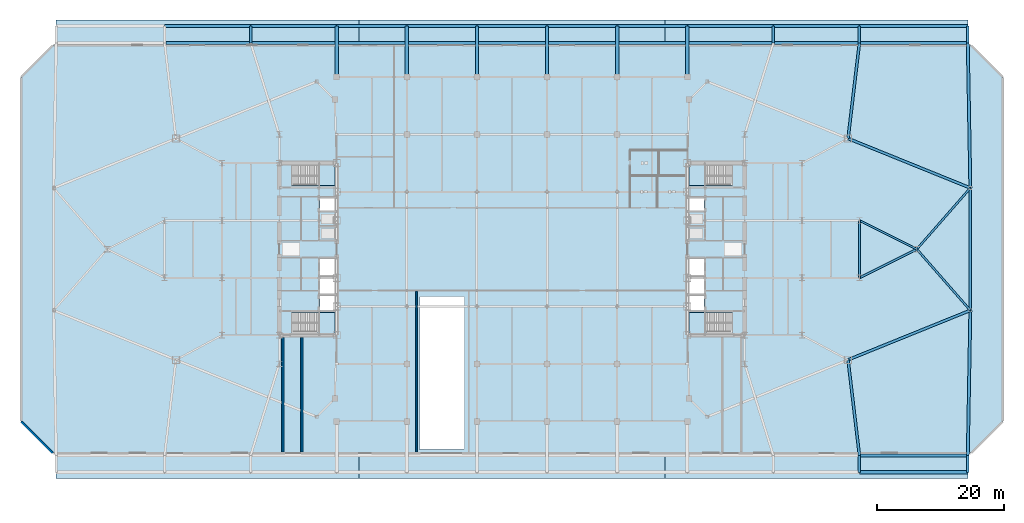
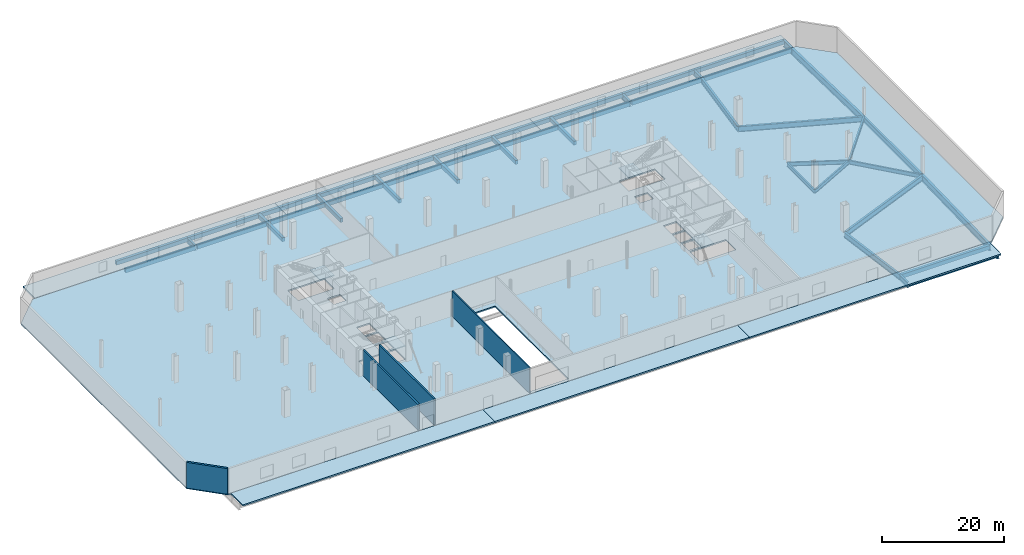
# One storey, part 9 of 21: 46 beams, 11 slabs, 4 walls, 4 elements without a shape of their own.
"""IFC4 building model written with IfcOpenShell, lengths in metres."""

from ifc_helpers import new_model, si_unit, direction, frame, frame_2d, origin, origin_2d, place, context, subcontext, project, spatial, polyline, rectangle, i_section, outline, extrude, source, transform, mapped, material, layer, layer_set, material_profile, profile_set, type_object, type_shapes, element, aggregate, save


model = new_model("IFC4")

# Units and contexts
model_context = context("Model", 3, precision=1e-05, world=origin(), true_north=direction((0.0, 1.0)))
body_context = subcontext(model_context, "Body", "Model", "MODEL_VIEW")
ifc_project = project(units=[si_unit("LENGTHUNIT", "METRE"), si_unit("AREAUNIT", "SQUARE_METRE"), si_unit("VOLUMEUNIT", "CUBIC_METRE"), si_unit("PLANEANGLEUNIT", "RADIAN"), si_unit("MASSUNIT", "GRAM", prefix="KILO")], contexts=[model_context])

# Site, building, storey
site_placement = place(None, origin())
site = spatial("IfcSite", under=ifc_project, at=site_placement, CompositionType="ELEMENT")
building_placement = place(site_placement, origin())
building = spatial("IfcBuilding", under=site, at=building_placement, Name="Seokmaru Belvedere", CompositionType="ELEMENT")
storey_placement = place(building_placement, origin())
storey = spatial("IfcBuildingStorey", under=building, at=storey_placement, Name="L00", CompositionType="ELEMENT", Elevation=0.0)

# Beams
ifc_material_1 = material(Name="Steel SM355 (355 MPa)", Category="steel")
ifc_material_profile_1 = material_profile(ifc_material_1, i_section(OverallWidth=0.39990234375, OverallDepth=1.10009765625, WebThickness=0.02001953125, FlangeThickness=0.033935546875, at=origin_2d()), Name="BH-1100x400x20x34")
ifc_profile_set_1 = profile_set([ifc_material_profile_1], Name="Steel SM355 (355 MPa)")
beam_type_1 = type_object("IfcBeamType", Name="Sky-Gate Transverse Girder BH-1100", PredefinedType="BEAM", material=ifc_profile_set_1)
shared_shape_1 = source(origin(), body_context, "Body", "SweptSolid", [
    extrude(i_section(OverallWidth=0.39990234375, OverallDepth=1.10009765625, WebThickness=0.02001953125, FlangeThickness=0.033935546875, at=origin_2d()), origin(), (0.0, 0.0, 1.0), 20.6962890625),
])
for number, where, z_axis, x_axis, name in (
    (1, (52.715576171875, -17.360595703125, -0.830078125), (0.92695003666, 0.37518479385, 0.0), (-0.37518479385, 0.92695003666, 0.0), "L00 E Podium Long-Span Flank Girder S-2"),
    (2, (52.715576171875, 17.360595703125, -0.830078125), (0.92695003666, -0.37518479385, 0.0), (0.37518479385, 0.92695003666, 0.0), "L00 E Podium Long-Span Flank Girder N-2"),
):
    element("IfcBeam", number, at=place(storey_placement, frame(where, z_axis=z_axis, x_axis=x_axis)), inside=storey, type_object=beam_type_1, Name=name, PredefinedType="BEAM", context=body_context, shape_type="MappedRepresentation", body=[
        mapped(shared_shape_1, transform((0.0, 0.0, 0.0), scale=1.0)),
    ])
shared_shape_2 = source(origin(), body_context, "Body", "SweptSolid", [
    extrude(i_section(OverallWidth=0.39990234375, OverallDepth=1.10009765625, WebThickness=0.02001953125, FlangeThickness=0.033935546875, at=origin_2d()), origin(), (0.0, 0.0, 1.0), 19.19140625),
])
beam_1_placement = place(storey_placement, frame((71.89990234375, -9.595703125, -0.830078125), z_axis=(0.0, 1.0, 0.0), x_axis=(-1.0, 0.0, 0.0)))
element("IfcBeam", 3, at=beam_1_placement, inside=storey, type_object=beam_type_1, Name="L00 E Podium Long-Span Apex Girder", PredefinedType="BEAM", context=body_context, shape_type="MappedRepresentation", body=[
    mapped(shared_shape_2, transform((0.0, 0.0, 0.0), scale=1.0)),
])
ifc_material_2 = material(Name="Concrete C50 (50 MPa)", Category="concrete")
ifc_material_profile_2 = material_profile(ifc_material_2, rectangle(XDim=0.5, YDim=0.800048828125, at=origin_2d()), Name="RC-500x800")
ifc_profile_set_2 = profile_set([ifc_material_profile_2], Name="Concrete C50 (50 MPa)")
beam_type_2 = type_object("IfcBeamType", Name="Plaza Perimeter Concrete Edge Beam RC-500x800", PredefinedType="BEAM", material=ifc_profile_set_2)
shared_shape_3 = source(origin(), body_context, "Body", "SweptSolid", [
    extrude(rectangle(XDim=0.5, YDim=0.800048828125, at=origin_2d()), origin(), (0.0, 0.0, 1.0), 17.0),
])
for number, where, z_axis, x_axis, name in (
    (4, (54.5, -35.0, -0.679931640625), (1.0, 0.0, 0.0), (0.0, 1.0, 0.0), "L00 Plaza Substructure Edge Beam S-11"),
    (5, (54.5, 35.0, -0.679931640625), (1.0, 0.0, 0.0), (0.0, 1.0, 0.0), "L00 Plaza Substructure Edge Beam N-11"),
):
    element("IfcBeam", number, at=place(storey_placement, frame(where, z_axis=z_axis, x_axis=x_axis)), inside=storey, type_object=beam_type_2, Name=name, PredefinedType="BEAM", context=body_context, shape_type="MappedRepresentation", body=[
        mapped(shared_shape_3, transform((0.0, 0.0, 0.0), scale=1.0)),
    ])
shared_shape_4 = source(origin(), body_context, "Body", "SweptSolid", [
    extrude(rectangle(XDim=0.5, YDim=0.800048828125, at=origin_2d()), origin(), (0.0, 0.0, 1.0), 13.5),
])
for number, where, z_axis, x_axis, name in (
    (6, (-54.5, 35.0, -0.679931640625), (1.0, 0.0, 0.0), (0.0, 1.0, 0.0), "L00 Plaza Substructure Edge Beam N-2"),
    (7, (-41.0, 35.0, -0.679931640625), (1.0, 0.0, 0.0), (0.0, 1.0, 0.0), "L00 Plaza Substructure Edge Beam N-3"),
    (8, (27.5, 35.0, -0.679931640625), (1.0, 0.0, 0.0), (0.0, 1.0, 0.0), "L00 Plaza Substructure Edge Beam N-9"),
    (9, (41.0, 35.0, -0.679931640625), (1.0, 0.0, 0.0), (0.0, 1.0, 0.0), "L00 Plaza Substructure Edge Beam N-10"),
):
    element("IfcBeam", number, at=place(storey_placement, frame(where, z_axis=z_axis, x_axis=x_axis)), inside=storey, type_object=beam_type_2, Name=name, PredefinedType="BEAM", context=body_context, shape_type="MappedRepresentation", body=[
        mapped(shared_shape_4, transform((0.0, 0.0, 0.0), scale=1.0)),
    ])
shared_shape_5 = source(origin(), body_context, "Body", "SweptSolid", [
    extrude(rectangle(XDim=0.5, YDim=0.800048828125, at=origin_2d()), origin(), (0.0, 0.0, 1.0), 11.0),
])
for number, where, z_axis, x_axis, name in (
    (10, (-27.5, 35.0, -0.679931640625), (1.0, 0.0, 0.0), (0.0, 1.0, 0.0), "L00 Plaza Substructure Edge Beam N-4"),
    (11, (-16.5, 35.0, -0.679931640625), (1.0, 0.0, 0.0), (0.0, 1.0, 0.0), "L00 Plaza Substructure Edge Beam N-5"),
    (12, (-5.5, 35.0, -0.679931640625), (1.0, 0.0, 0.0), (0.0, 1.0, 0.0), "L00 Plaza Substructure Edge Beam N-6"),
    (13, (5.5, 35.0, -0.679931640625), (1.0, 0.0, 0.0), (0.0, 1.0, 0.0), "L00 Plaza Substructure Edge Beam N-7"),
    (14, (16.5, 35.0, -0.679931640625), (1.0, 0.0, 0.0), (0.0, 1.0, 0.0), "L00 Plaza Substructure Edge Beam N-8"),
):
    element("IfcBeam", number, at=place(storey_placement, frame(where, z_axis=z_axis, x_axis=x_axis)), inside=storey, type_object=beam_type_2, Name=name, PredefinedType="BEAM", context=body_context, shape_type="MappedRepresentation", body=[
        mapped(shared_shape_5, transform((0.0, 0.0, 0.0), scale=1.0)),
    ])
ifc_material_profile_3 = material_profile(ifc_material_1, i_section(OverallWidth=0.300048828125, OverallDepth=0.800048828125, WebThickness=0.013916015625, FlangeThickness=0.02587890625, at=origin_2d()), Name="H-800x300x14x26")
ifc_profile_set_3 = profile_set([ifc_material_profile_3], Name="Steel SM355 (355 MPa)")
beam_type_3 = type_object("IfcBeamType", Name="Podium Primary Girder H-800", PredefinedType="BEAM", material=ifc_profile_set_3)
shared_shape_6 = source(origin(), body_context, "Body", "SweptSolid", [
    extrude(i_section(OverallWidth=0.300048828125, OverallDepth=0.800048828125, WebThickness=0.013916015625, FlangeThickness=0.02587890625, at=origin_2d()), origin(), (0.0, 0.0, 1.0), 9.0),
])
beam_2_placement = place(storey_placement, frame((54.5, -4.5, -0.679931640625), z_axis=(0.0, 1.0, 0.0), x_axis=(-1.0, 0.0, 0.0)))
element("IfcBeam", 15, at=beam_2_placement, inside=storey, type_object=beam_type_3, Name="L00 E Apex Frame Girder", PredefinedType="BEAM", context=body_context, shape_type="MappedRepresentation", body=[
    mapped(shared_shape_6, transform((0.0, 0.0, 0.0), scale=1.0)),
])
shared_shape_7 = source(origin(), body_context, "Body", "SweptSolid", [
    extrude(i_section(OverallWidth=0.300048828125, OverallDepth=0.800048828125, WebThickness=0.013916015625, FlangeThickness=0.02587890625, at=origin_2d()), origin(), (0.0, 0.0, 1.0), 10.062255859375),
])
for number, where, z_axis, x_axis, name in (
    (16, (54.5, -4.5, -0.679931640625), (0.894427191, 0.4472135955, 0.0), (-0.4472135955, 0.894427191, 0.0), "L00 E Apex Converging Girder 1"),
    (17, (54.5, 4.5, -0.679931640625), (0.894427191, -0.4472135955, 0.0), (0.4472135955, 0.894427191, 0.0), "L00 E Apex Converging Girder 2"),
):
    element("IfcBeam", number, at=place(storey_placement, frame(where, z_axis=z_axis, x_axis=x_axis)), inside=storey, type_object=beam_type_3, Name=name, PredefinedType="BEAM", context=body_context, shape_type="MappedRepresentation", body=[
        mapped(shared_shape_7, transform((0.0, 0.0, 0.0), scale=1.0)),
    ])
shared_shape_8 = source(origin(), body_context, "Body", "SweptSolid", [
    extrude(i_section(OverallWidth=0.300048828125, OverallDepth=0.800048828125, WebThickness=0.013916015625, FlangeThickness=0.02587890625, at=origin_2d()), origin(), (0.0, 0.0, 1.0), 12.7529296875),
])
type_shapes(beam_type_3, [shared_shape_6, shared_shape_7, shared_shape_8])
for number, where, z_axis, x_axis, name in (
    (18, (71.89990234375, -9.595703125, -0.679931640625), (-0.658667231479, 0.752434368019, 0.0), (-0.752434368019, -0.658667231479, 0.0), "L00 E Apex Radial Floor Girder 1"),
    (19, (71.89990234375, 9.595703125, -0.679931640625), (-0.658667231479, -0.752434368019, 0.0), (0.752434368019, -0.658667231479, 0.0), "L00 E Apex Radial Floor Girder 2"),
):
    element("IfcBeam", number, at=place(storey_placement, frame(where, z_axis=z_axis, x_axis=x_axis)), inside=storey, type_object=beam_type_3, Name=name, PredefinedType="BEAM", context=body_context, shape_type="MappedRepresentation", body=[
        mapped(shared_shape_8, transform((0.0, 0.0, 0.0), scale=1.0)),
    ])
shared_shape_9 = source(origin(), body_context, "Body", "SweptSolid", [
    extrude(rectangle(XDim=0.5, YDim=0.800048828125, at=origin_2d()), origin(), (0.0, 0.0, 1.0), 16.5849609375),
])
for number, where, z_axis, x_axis, name in (
    (20, (54.695068359375, -32.35009765625, -0.679931640625), (1.0, 0.0, 0.0), (0.0, 1.0, 0.0), "L00 Plaza Inner Support Beam S-11"),
    (21, (54.695068359375, 32.35009765625, -0.679931640625), (1.0, 0.0, 0.0), (0.0, 1.0, 0.0), "L00 Plaza Inner Support Beam N-11"),
):
    element("IfcBeam", number, at=place(storey_placement, frame(where, z_axis=z_axis, x_axis=x_axis)), inside=storey, type_object=beam_type_2, Name=name, PredefinedType="BEAM", context=body_context, shape_type="MappedRepresentation", body=[
        mapped(shared_shape_9, transform((0.0, 0.0, 0.0), scale=1.0)),
    ])
shared_shape_10 = source(origin(), body_context, "Body", "SweptSolid", [
    extrude(rectangle(XDim=0.5, YDim=0.800048828125, at=origin_2d()), origin(), (0.0, 0.0, 1.0), 13.10986328125),
])
for number, where, z_axis, x_axis, name in (
    (22, (-54.304931640625, 32.35009765625, -0.679931640625), (1.0, 0.0, 0.0), (0.0, 1.0, 0.0), "L00 Plaza Inner Support Beam N-2"),
    (23, (41.195068359375, 32.35009765625, -0.679931640625), (1.0, 0.0, 0.0), (0.0, 1.0, 0.0), "L00 Plaza Inner Support Beam N-10"),
):
    element("IfcBeam", number, at=place(storey_placement, frame(where, z_axis=z_axis, x_axis=x_axis)), inside=storey, type_object=beam_type_2, Name=name, PredefinedType="BEAM", context=body_context, shape_type="MappedRepresentation", body=[
        mapped(shared_shape_10, transform((0.0, 0.0, 0.0), scale=1.0)),
    ])
shared_shape_11 = source(origin(), body_context, "Body", "SweptSolid", [
    extrude(rectangle(XDim=0.5, YDim=0.800048828125, at=origin_2d()), origin(), (0.0, 0.0, 1.0), 13.059814453125),
])
for number, where, z_axis, x_axis, name in (
    (24, (-40.804931640625, 32.35009765625, -0.679931640625), (1.0, 0.0, 0.0), (0.0, 1.0, 0.0), "L00 Plaza Inner Support Beam N-3"),
    (25, (27.7451171875, 32.35009765625, -0.679931640625), (1.0, 0.0, 0.0), (0.0, 1.0, 0.0), "L00 Plaza Inner Support Beam N-9"),
):
    element("IfcBeam", number, at=place(storey_placement, frame(where, z_axis=z_axis, x_axis=x_axis)), inside=storey, type_object=beam_type_2, Name=name, PredefinedType="BEAM", context=body_context, shape_type="MappedRepresentation", body=[
        mapped(shared_shape_11, transform((0.0, 0.0, 0.0), scale=1.0)),
    ])
shared_shape_12 = source(origin(), body_context, "Body", "SweptSolid", [
    extrude(rectangle(XDim=0.5, YDim=0.800048828125, at=origin_2d()), origin(), (0.0, 0.0, 1.0), 10.509765625),
])
for number, where, z_axis, x_axis, name in (
    (26, (-27.2548828125, 32.35009765625, -0.679931640625), (1.0, 0.0, 0.0), (0.0, 1.0, 0.0), "L00 Plaza Inner Support Beam N-4"),
    (27, (-16.2548828125, 32.35009765625, -0.679931640625), (1.0, 0.0, 0.0), (0.0, 1.0, 0.0), "L00 Plaza Inner Support Beam N-5"),
    (28, (-5.2548828125, 32.35009765625, -0.679931640625), (1.0, 0.0, 0.0), (0.0, 1.0, 0.0), "L00 Plaza Inner Support Beam N-6"),
    (29, (5.7451171875, 32.35009765625, -0.679931640625), (1.0, 0.0, 0.0), (0.0, 1.0, 0.0), "L00 Plaza Inner Support Beam N-7"),
    (30, (16.7451171875, 32.35009765625, -0.679931640625), (1.0, 0.0, 0.0), (0.0, 1.0, 0.0), "L00 Plaza Inner Support Beam N-8"),
):
    element("IfcBeam", number, at=place(storey_placement, frame(where, z_axis=z_axis, x_axis=x_axis)), inside=storey, type_object=beam_type_2, Name=name, PredefinedType="BEAM", context=body_context, shape_type="MappedRepresentation", body=[
        mapped(shared_shape_12, transform((0.0, 0.0, 0.0), scale=1.0)),
    ])
ifc_material_3 = material(Name="Steel HSA650 (650 MPa)", Category="steel")
ifc_material_profile_4 = material_profile(ifc_material_3, i_section(OverallWidth=0.449951171875, OverallDepth=1.300048828125, WebThickness=0.02197265625, FlangeThickness=0.0380859375, at=origin_2d()), Name="BH-1300x450x22x38")
ifc_profile_set_4 = profile_set([ifc_material_profile_4], Name="Steel HSA650 (650 MPa)")
beam_type_4 = type_object("IfcBeamType", Name="Observatory Long-Span Roof Girder BH-1300", PredefinedType="BEAM", material=ifc_profile_set_4)
shared_shape_13 = source(origin(), body_context, "Body", "SweptSolid", [
    extrude(i_section(OverallWidth=0.449951171875, OverallDepth=1.300048828125, WebThickness=0.02197265625, FlangeThickness=0.0380859375, at=origin_2d()), origin(), (0.0, 0.0, 1.0), 2.64990234375),
])
for number, where, z_axis, x_axis, name in (
    (31, (71.5, -35.0, -0.929931640625), (0.0, 1.0, 0.0), (-1.0, 0.0, 0.0), "L00 Plaza Outer Cantilever Rib S-12"),
    (32, (71.5, 35.0, -0.929931640625), (0.0, -1.0, 0.0), (1.0, 0.0, 0.0), "L00 Plaza Outer Cantilever Rib N-12"),
):
    element("IfcBeam", number, at=place(storey_placement, frame(where, z_axis=z_axis, x_axis=x_axis)), inside=storey, type_object=beam_type_4, Name=name, PredefinedType="BEAM", context=body_context, shape_type="MappedRepresentation", body=[
        mapped(shared_shape_13, transform((0.0, 0.0, 0.0), scale=1.0)),
    ])
shared_shape_14 = source(origin(), body_context, "Body", "SweptSolid", [
    extrude(i_section(OverallWidth=0.449951171875, OverallDepth=1.300048828125, WebThickness=0.02197265625, FlangeThickness=0.0380859375, at=origin_2d()), origin(), (0.0, 0.0, 1.0), 22.7578125),
])
type_shapes(beam_type_4, [shared_shape_13, shared_shape_14])
for number, where, z_axis, x_axis, name in (
    (33, (71.5, -32.35009765625, -0.929931640625), (0.017572016621, 0.999845600196, 0.0), (-0.999845600196, 0.017572016621, 0.0), "L00 Plaza Outer Back-Span Rib S-12"),
    (34, (71.5, 32.35009765625, -0.929931640625), (0.017572016621, -0.999845600196, 0.0), (0.999845600196, 0.017572016621, 0.0), "L00 Plaza Outer Back-Span Rib N-12"),
):
    element("IfcBeam", number, at=place(storey_placement, frame(where, z_axis=z_axis, x_axis=x_axis)), inside=storey, type_object=beam_type_4, Name=name, PredefinedType="BEAM", context=body_context, shape_type="MappedRepresentation", body=[
        mapped(shared_shape_14, transform((0.0, 0.0, 0.0), scale=1.0)),
    ])
shared_shape_15 = source(origin(), body_context, "Body", "SweptSolid", [
    extrude(i_section(OverallWidth=0.39990234375, OverallDepth=1.10009765625, WebThickness=0.02001953125, FlangeThickness=0.033935546875, at=origin_2d()), origin(), (0.0, 0.0, 1.0), 2.64990234375),
])
for number, where, z_axis, x_axis, name in (
    (35, (54.5, -35.0, -0.830078125), (0.0, 1.0, 0.0), (-1.0, 0.0, 0.0), "L00 Plaza Mid Cantilever Rib S-11"),
    (36, (-41.0, 35.0, -0.830078125), (0.0, -1.0, 0.0), (1.0, 0.0, 0.0), "L00 Plaza Shoulder Rib N-3"),
    (37, (41.0, 35.0, -0.830078125), (0.0, -1.0, 0.0), (1.0, 0.0, 0.0), "L00 Plaza Shoulder Rib N-10"),
    (38, (54.5, 35.0, -0.830078125), (0.0, -1.0, 0.0), (1.0, 0.0, 0.0), "L00 Plaza Mid Cantilever Rib N-11"),
):
    element("IfcBeam", number, at=place(storey_placement, frame(where, z_axis=z_axis, x_axis=x_axis)), inside=storey, type_object=beam_type_1, Name=name, PredefinedType="BEAM", context=body_context, shape_type="MappedRepresentation", body=[
        mapped(shared_shape_15, transform((0.0, 0.0, 0.0), scale=1.0)),
    ])
shared_shape_16 = source(origin(), body_context, "Body", "SweptSolid", [
    extrude(i_section(OverallWidth=0.39990234375, OverallDepth=1.10009765625, WebThickness=0.02001953125, FlangeThickness=0.033935546875, at=origin_2d()), origin(), (0.0, 0.0, 1.0), 15.095458984375),
])
type_shapes(beam_type_1, [shared_shape_1, shared_shape_2, shared_shape_15, shared_shape_16])
for number, where, z_axis, x_axis, name in (
    (39, (54.5, -32.35009765625, -0.830078125), (-0.118210231912, 0.992988590605, 0.0), (-0.992988590605, -0.118210231912, 0.0), "L00 Plaza Mid Back-Span Rib S-11"),
    (40, (54.5, 32.35009765625, -0.830078125), (-0.118210231912, -0.992988590605, 0.0), (0.992988590605, -0.118210231912, 0.0), "L00 Plaza Mid Back-Span Rib N-11"),
):
    element("IfcBeam", number, at=place(storey_placement, frame(where, z_axis=z_axis, x_axis=x_axis)), inside=storey, type_object=beam_type_1, Name=name, PredefinedType="BEAM", context=body_context, shape_type="MappedRepresentation", body=[
        mapped(shared_shape_16, transform((0.0, 0.0, 0.0), scale=1.0)),
    ])
shared_shape_17 = source(origin(), body_context, "Body", "SweptSolid", [
    extrude(rectangle(XDim=0.5, YDim=0.800048828125, at=origin_2d()), origin(), (0.0, 0.0, 1.0), 8.0),
])
type_shapes(beam_type_2, [shared_shape_3, shared_shape_4, shared_shape_5, shared_shape_9, shared_shape_10, shared_shape_11, shared_shape_12, shared_shape_17])
for number, where, z_axis, x_axis, name in (
    (41, (-27.5, 35.0, -0.679931640625), (0.0, -1.0, 0.0), (1.0, 0.0, 0.0), "L00 Plaza Transverse Support Rib N-4"),
    (42, (-16.5, 35.0, -0.679931640625), (0.0, -1.0, 0.0), (1.0, 0.0, 0.0), "L00 Plaza Transverse Support Rib N-5"),
    (43, (-5.5, 35.0, -0.679931640625), (0.0, -1.0, 0.0), (1.0, 0.0, 0.0), "L00 Plaza Transverse Support Rib N-6"),
    (44, (5.5, 35.0, -0.679931640625), (0.0, -1.0, 0.0), (1.0, 0.0, 0.0), "L00 Plaza Transverse Support Rib N-7"),
    (45, (16.5, 35.0, -0.679931640625), (0.0, -1.0, 0.0), (1.0, 0.0, 0.0), "L00 Plaza Transverse Support Rib N-8"),
    (46, (27.5, 35.0, -0.679931640625), (0.0, -1.0, 0.0), (1.0, 0.0, 0.0), "L00 Plaza Transverse Support Rib N-9"),
):
    element("IfcBeam", number, at=place(storey_placement, frame(where, z_axis=z_axis, x_axis=x_axis)), inside=storey, type_object=beam_type_2, Name=name, PredefinedType="BEAM", context=body_context, shape_type="MappedRepresentation", body=[
        mapped(shared_shape_17, transform((0.0, 0.0, 0.0), scale=1.0)),
    ])

# Slab
ifc_layer_1 = layer(ifc_material_2, 0.280029296875)
ifc_layer_set_1 = layer_set([ifc_layer_1], Name="Concrete C50 (50 MPa)")
slab_type_1 = type_object("IfcSlabType", Name="Podium Composite Floor Slab 280", PredefinedType="FLOOR", material=ifc_layer_set_1)
slab_1_placement = place(storey_placement, frame((0.0, 0.0, -0.280029296875)))
element("IfcSlab", 47, at=slab_1_placement, inside=storey, type_object=slab_type_1, Name="L00 Structural Floor Slab", PredefinedType="FLOOR", context=body_context, shape_type="SweptSolid", body=[
    extrude(outline(polyline([(-72.0, -32.0), (72.0, -32.0), (77.0, -27.0), (77.0, 27.0), (72.0, 32.0), (-72.0, 32.0), (-77.0, 27.0), (-77.0, -27.0), (-72.0, -32.0)]), holes=[polyline([(-34.60009765625, -13.25), (-27.75, -13.25), (-27.75, -9.949951171875), (-34.60009765625, -9.949951171875), (-34.60009765625, -13.25)]), polyline([(-34.60009765625, 9.949951171875), (-27.75, 9.949951171875), (-27.75, 13.25), (-34.60009765625, 13.25), (-34.60009765625, 9.949951171875)]), polyline([(27.75, -13.25), (34.60009765625, -13.25), (34.60009765625, -9.949951171875), (27.75, -9.949951171875), (27.75, -13.25)]), polyline([(27.75, 9.949951171875), (34.60009765625, 9.949951171875), (34.60009765625, 13.25), (27.75, 13.25), (27.75, 9.949951171875)]), polyline([(-30.14990234375, -9.550048828125), (-27.75, -9.550048828125), (-27.75, -7.25), (-30.14990234375, -7.25), (-30.14990234375, -9.550048828125)]), polyline([(-30.14990234375, -6.949951171875), (-27.75, -6.949951171875), (-27.75, -4.35009765625), (-30.14990234375, -4.35009765625), (-30.14990234375, -6.949951171875)]), polyline([(-30.14990234375, -4.050048828125), (-27.75, -4.050048828125), (-27.75, -1.449951171875), (-30.14990234375, -1.449951171875), (-30.14990234375, -4.050048828125)]), polyline([(-30.14990234375, 6.050048828125), (-27.75, 6.050048828125), (-27.75, 8.050048828125), (-30.14990234375, 8.050048828125), (-30.14990234375, 6.050048828125)]), polyline([(27.75, -9.550048828125), (30.14990234375, -9.550048828125), (30.14990234375, -7.25), (27.75, -7.25), (27.75, -9.550048828125)]), polyline([(27.75, -6.949951171875), (30.14990234375, -6.949951171875), (30.14990234375, -4.35009765625), (27.75, -4.35009765625), (27.75, -6.949951171875)]), polyline([(27.75, -4.050048828125), (30.14990234375, -4.050048828125), (30.14990234375, -1.449951171875), (27.75, -1.449951171875), (27.75, -4.050048828125)]), polyline([(27.75, 6.050048828125), (30.14990234375, 6.050048828125), (30.14990234375, 8.050048828125), (27.75, 8.050048828125), (27.75, 6.050048828125)]), polyline([(-14.5, -31.39990234375), (-7.5, -31.39990234375), (-7.5, -7.5), (-14.5, -7.5), (-14.5, -31.39990234375)])]), origin(), (0.0, 0.0, 1.0), 0.280029296875),
])

# Stair, slab
ifc_material_4 = material(Name="Concrete C40 (40 MPa)", Category="concrete")
stair_type = type_object("IfcStairType", Name="Ground Podium Core Dog-Leg Stair 5400", PredefinedType="TWO_STRAIGHT_RUN_STAIR", material=ifc_material_4)
stair_1_placement = place(storey_placement, origin())
stair_1 = element("IfcStair", 48, at=stair_1_placement, inside=storey, type_object=stair_type, Name="L00 Special Escape Stair ST-W1", PredefinedType="TWO_STRAIGHT_RUN_STAIR")
ifc_layer_2 = layer(ifc_material_4, 0.199951171875)
ifc_layer_set_2 = layer_set([ifc_layer_2], Name="Concrete C40 (40 MPa)")
slab_type_2 = type_object("IfcSlabType", Name="Reinforced Concrete Stair Landing Slab 200", PredefinedType="LANDING", material=ifc_layer_set_2)
slab_2_placement = place(storey_placement, frame((0.0, 0.0, 2.5)))
slab_2 = element("IfcSlab", 49, at=slab_2_placement, type_object=slab_type_2, Name="ST-W1 landing 1", PredefinedType="LANDING", context=body_context, shape_type="SweptSolid", body=[
    extrude(outline(polyline([(-30.47998046875, -13.239990234375), (-27.760009765625, -13.239990234375), (-27.760009765625, -9.949951171875), (-30.47998046875, -9.949951171875), (-30.47998046875, -13.239990234375)])), origin(), (0.0, 0.0, 1.0), 0.199951171875),
])
aggregate(stair_1, [slab_2])

stair_2_placement = place(storey_placement, origin())
stair_2 = element("IfcStair", 50, at=stair_2_placement, inside=storey, type_object=stair_type, Name="L00 Special Escape Stair ST-W2", PredefinedType="TWO_STRAIGHT_RUN_STAIR")
slab_3_placement = place(storey_placement, frame((0.0, 0.0, 2.5)))
slab_3 = element("IfcSlab", 51, at=slab_3_placement, type_object=slab_type_2, Name="ST-W2 landing 1", PredefinedType="LANDING", context=body_context, shape_type="SweptSolid", body=[
    extrude(outline(polyline([(-30.47998046875, 9.949951171875), (-27.760009765625, 9.949951171875), (-27.760009765625, 13.239990234375), (-30.47998046875, 13.239990234375), (-30.47998046875, 9.949951171875)])), origin(), (0.0, 0.0, 1.0), 0.199951171875),
])
aggregate(stair_2, [slab_3])

stair_3_placement = place(storey_placement, origin())
stair_3 = element("IfcStair", 52, at=stair_3_placement, inside=storey, type_object=stair_type, Name="L00 Special Escape Stair ST-E1", PredefinedType="TWO_STRAIGHT_RUN_STAIR")
slab_4_placement = place(storey_placement, frame((0.0, 0.0, 2.5)))
slab_4 = element("IfcSlab", 53, at=slab_4_placement, type_object=slab_type_2, Name="ST-E1 landing 1", PredefinedType="LANDING", context=body_context, shape_type="SweptSolid", body=[
    extrude(outline(polyline([(27.760009765625, -13.239990234375), (30.47998046875, -13.239990234375), (30.47998046875, -9.949951171875), (27.760009765625, -9.949951171875), (27.760009765625, -13.239990234375)])), origin(), (0.0, 0.0, 1.0), 0.199951171875),
])
aggregate(stair_3, [slab_4])

stair_4_placement = place(storey_placement, origin())
stair_4 = element("IfcStair", 54, at=stair_4_placement, inside=storey, type_object=stair_type, Name="L00 Special Escape Stair ST-E2", PredefinedType="TWO_STRAIGHT_RUN_STAIR")
slab_5_placement = place(storey_placement, frame((0.0, 0.0, 2.5)))
slab_5 = element("IfcSlab", 55, at=slab_5_placement, type_object=slab_type_2, Name="ST-E2 landing 1", PredefinedType="LANDING", context=body_context, shape_type="SweptSolid", body=[
    extrude(outline(polyline([(27.760009765625, 9.949951171875), (30.47998046875, 9.949951171875), (30.47998046875, 13.239990234375), (27.760009765625, 13.239990234375), (27.760009765625, 9.949951171875)])), origin(), (0.0, 0.0, 1.0), 0.199951171875),
])
aggregate(stair_4, [slab_5])

# Slabs
ifc_layer_3 = layer(ifc_material_4, 0.280029296875)
ifc_layer_set_3 = layer_set([ifc_layer_3], Name="Concrete C40 (40 MPa)")
slab_type_3 = type_object("IfcSlabType", Name="Waterfront Plaza Paving Slab 280", PredefinedType="FLOOR", material=ifc_layer_set_3)
slab_6_placement = place(storey_placement, frame((0.0, 0.0, -0.280029296875)))
element("IfcSlab", 56, at=slab_6_placement, inside=storey, type_object=slab_type_3, Name="L00 Waterfront Arrival Plaza Paving South 1", ObjectType="PAVING", PredefinedType="USERDEFINED", context=body_context, shape_type="SweptSolid", body=[
    extrude(outline(polyline([(-71.5, -35.949951171875), (-24.0, -35.949951171875), (-24.0, -32.02001953125), (-71.5, -32.02001953125), (-71.5, -35.949951171875)])), origin(), (0.0, 0.0, 1.0), 0.280029296875),
])
slab_7_placement = place(storey_placement, frame((0.0, 0.0, -0.280029296875)))
element("IfcSlab", 57, at=slab_7_placement, inside=storey, type_object=slab_type_3, Name="L00 Waterfront Arrival Plaza Paving South 2", ObjectType="PAVING", PredefinedType="USERDEFINED", context=body_context, shape_type="SweptSolid", body=[
    extrude(outline(polyline([(-24.0, -35.949951171875), (24.0, -35.949951171875), (24.0, -32.02001953125), (-24.0, -32.02001953125), (-24.0, -35.949951171875)])), origin(), (0.0, 0.0, 1.0), 0.280029296875),
])
slab_8_placement = place(storey_placement, frame((0.0, 0.0, -0.280029296875)))
element("IfcSlab", 58, at=slab_8_placement, inside=storey, type_object=slab_type_3, Name="L00 Waterfront Arrival Plaza Paving South 3", ObjectType="PAVING", PredefinedType="USERDEFINED", context=body_context, shape_type="SweptSolid", body=[
    extrude(outline(polyline([(24.0, -35.949951171875), (71.5, -35.949951171875), (71.5, -32.02001953125), (24.0, -32.02001953125), (24.0, -35.949951171875)])), origin(), (0.0, 0.0, 1.0), 0.280029296875),
])
slab_9_placement = place(storey_placement, frame((0.0, 0.0, -0.280029296875)))
element("IfcSlab", 59, at=slab_9_placement, inside=storey, type_object=slab_type_3, Name="L00 Waterfront Arrival Plaza Paving North 1", ObjectType="PAVING", PredefinedType="USERDEFINED", context=body_context, shape_type="SweptSolid", body=[
    extrude(outline(polyline([(-71.5, 32.02001953125), (-24.0, 32.02001953125), (-24.0, 35.949951171875), (-71.5, 35.949951171875), (-71.5, 32.02001953125)])), origin(), (0.0, 0.0, 1.0), 0.280029296875),
])
slab_10_placement = place(storey_placement, frame((0.0, 0.0, -0.280029296875)))
element("IfcSlab", 60, at=slab_10_placement, inside=storey, type_object=slab_type_3, Name="L00 Waterfront Arrival Plaza Paving North 2", ObjectType="PAVING", PredefinedType="USERDEFINED", context=body_context, shape_type="SweptSolid", body=[
    extrude(outline(polyline([(-24.0, 32.02001953125), (24.0, 32.02001953125), (24.0, 35.949951171875), (-24.0, 35.949951171875), (-24.0, 32.02001953125)])), origin(), (0.0, 0.0, 1.0), 0.280029296875),
])
slab_11_placement = place(storey_placement, frame((0.0, 0.0, -0.280029296875)))
element("IfcSlab", 61, at=slab_11_placement, inside=storey, type_object=slab_type_3, Name="L00 Waterfront Arrival Plaza Paving North 3", ObjectType="PAVING", PredefinedType="USERDEFINED", context=body_context, shape_type="SweptSolid", body=[
    extrude(outline(polyline([(24.0, 32.02001953125), (71.5, 32.02001953125), (71.5, 35.949951171875), (24.0, 35.949951171875), (24.0, 32.02001953125)])), origin(), (0.0, 0.0, 1.0), 0.280029296875),
])

# Walls
ifc_material_5 = material(Name="Fire-Rated Gypsum Shaftwall")
ifc_layer_4 = layer(ifc_material_5, 0.199951171875)
ifc_layer_set_4 = layer_set([ifc_layer_4], Name="Fire-Rated Gypsum Shaftwall")
wall_type_1 = type_object("IfcWallType", Name="Inter-Tenancy Fire Compartment Partition 200", PredefinedType="PARTITIONING", material=ifc_layer_set_4)
wall_1_placement = place(storey_placement, frame((-15.0, -31.800048828125, 0.0), z_axis=(0.0, 0.0, 1.0), x_axis=(0.0, 1.0, 0.0)))
element("IfcWall", 62, at=wall_1_placement, inside=storey, type_object=wall_type_1, Name="L00 Interior Partition 009", PredefinedType="PARTITIONING", context=body_context, shape_type="SweptSolid", body=[
    extrude(rectangle(XDim=25.215087890625, YDim=0.199951171875, at=frame_2d((12.607421875, 0.0))), origin(), (0.0, 0.0, 1.0), 5.1201171875),
])
ifc_layer_5 = layer(ifc_material_2, 0.300048828125)
ifc_layer_set_5 = layer_set([ifc_layer_5], Name="Concrete C50 (50 MPa)")
wall_type_2 = type_object("IfcWallType", Name="Internal Core Stair and Hoistway Wall 300", PredefinedType="SHEAR", material=ifc_layer_set_5)
for number, where, z_axis, x_axis, name in (
    (63, (-35.949951171875, -31.800048828125, 0.0), (0.0, 0.0, 1.0), (0.0, 1.0, 0.0), "L00 Exit Passage Wall 006"),
    (64, (-32.949951171875, -31.800048828125, 0.0), (0.0, 0.0, 1.0), (0.0, 1.0, 0.0), "L00 Exit Passage Wall 007"),
):
    element("IfcWall", number, at=place(storey_placement, frame(where, z_axis=z_axis, x_axis=x_axis)), inside=storey, type_object=wall_type_2, Name=name, PredefinedType="SHEAR", context=body_context, shape_type="SweptSolid", body=[
        extrude(rectangle(XDim=17.920166015625, YDim=0.300048828125, at=frame_2d((8.9599609375, 0.0))), origin(), (0.0, 0.0, 1.0), 5.1201171875),
    ])
ifc_layer_6 = layer(ifc_material_4, 0.360107421875)
ifc_layer_set_6 = layer_set([ifc_layer_6], Name="Concrete C40 (40 MPa)")
wall_type_3 = type_object("IfcWallType", Name="Podium Board-Formed Concrete Wall 360", PredefinedType="SOLIDWALL", material=ifc_layer_set_6)
wall_2_placement = place(storey_placement, frame((-76.9716796875, -27.0283203125, 0.0), z_axis=(0.0, 0.0, 1.0), x_axis=(0.707106781187, -0.707106781187, 0.0)))
element("IfcWall", 65, at=wall_2_placement, inside=storey, type_object=wall_type_3, Name="L00 Exterior Podium Wall 08", PredefinedType="SOLIDWALL", context=body_context, shape_type="SweptSolid", body=[
    extrude(rectangle(XDim=6.990966796875, YDim=0.360107421875, at=frame_2d((3.49560546875, 0.0))), origin(), (0.0, 0.0, 1.0), 5.1201171875),
])

save(model, "model.ifc")
